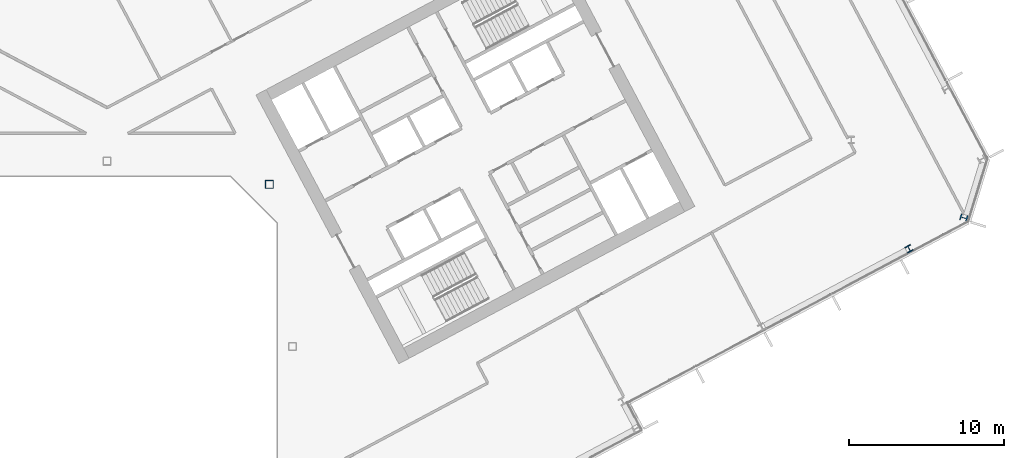
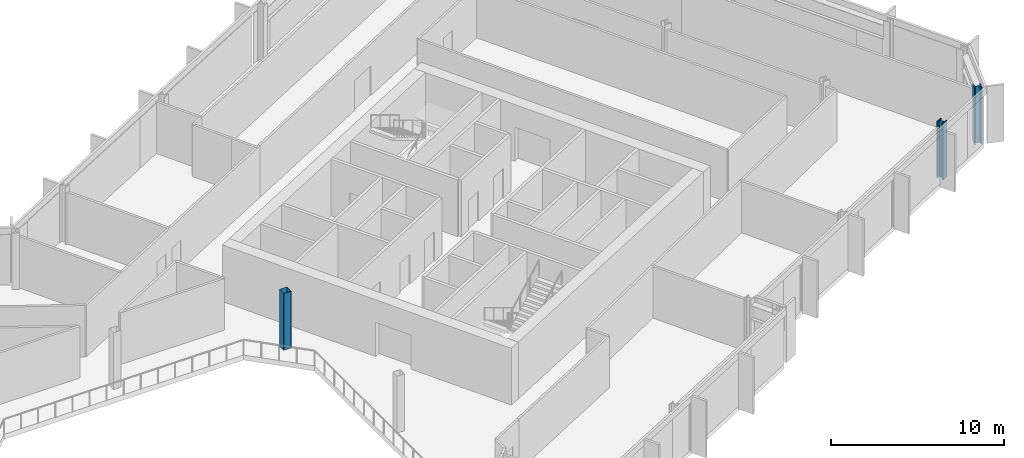
# One storey, part 6 of 28: 3 columns.
"""IFC4 building model written with IfcOpenShell, lengths in metres."""

from ifc_helpers import new_model, si_unit, direction, frame, origin, origin_2d, place, context, subcontext, project, spatial, hollow_rectangle, i_section, extrude, material, material_profile, profile_set, type_object, element, save


model = new_model("IFC4")

# Units and contexts
model_context = context("Model", 3, precision=1e-05, world=origin(), true_north=direction((0.0, 1.0)))
body_context = subcontext(model_context, "Body", "Model", "MODEL_VIEW")
ifc_project = project(units=[si_unit("LENGTHUNIT", "METRE"), si_unit("AREAUNIT", "SQUARE_METRE"), si_unit("VOLUMEUNIT", "CUBIC_METRE"), si_unit("PLANEANGLEUNIT", "RADIAN"), si_unit("MASSUNIT", "GRAM", prefix="KILO")], contexts=[model_context])

# Site, building, storey
site_placement = place(None, origin())
site = spatial("IfcSite", under=ifc_project, at=site_placement, CompositionType="ELEMENT")
building_placement = place(site_placement, origin())
building = spatial("IfcBuilding", under=site, at=building_placement, Name="Cormorant Relay Tower", CompositionType="ELEMENT")
storey_placement = place(building_placement, frame((0.0, 0.0, 122.199951171875)))
storey = spatial("IfcBuildingStorey", under=building, at=storey_placement, Name="L24", CompositionType="ELEMENT", Elevation=122.199951171875)

# Columns
ifc_material_1 = material(Name="Steel ASTM A500 Grade C (Fy 345 MPa)", Category="steel")
ifc_material_profile_1 = material_profile(ifc_material_1, hollow_rectangle(XDim=0.508056640625, YDim=0.508056640625, WallThickness=0.01171875, InnerFilletRadius=0.005859375, OuterFilletRadius=0.017822265625, at=origin_2d()), Name="HSS508x508x12")
ifc_profile_set_1 = profile_set([ifc_material_profile_1], Name="Steel ASTM A500 Grade C (Fy 345 MPa)")
column_type_1 = type_object("IfcColumnType", Name="Column HSS508x508x12", PredefinedType="COLUMN", material=ifc_profile_set_1)
column_1_placement = place(storey_placement, frame((10.5, 10.5, 0.0), z_axis=(0.0, 0.0, 1.0), x_axis=(1.0, 0.0, 0.0)))
element("IfcColumn", 1, at=column_1_placement, inside=storey, type_object=column_type_1, Name="Column L24-024", PredefinedType="COLUMN", context=body_context, shape_type="SweptSolid", body=[
    extrude(hollow_rectangle(XDim=0.508056640625, YDim=0.508056640625, WallThickness=0.01171875, InnerFilletRadius=0.005859375, OuterFilletRadius=0.017822265625, at=origin_2d()), origin(), (0.0, 0.0, 1.0), 4.0),
])
ifc_material_2 = material(Name="Steel ASTM A992 (Fy 345 MPa)", Category="steel")
ifc_material_profile_2 = material_profile(ifc_material_2, i_section(OverallWidth=0.41162109375, OverallDepth=0.434326171875, WebThickness=0.035888671875, FlangeThickness=0.057373046875, FilletRadius=0.01513671875, at=origin_2d()), Name="W360x463")
ifc_profile_set_2 = profile_set([ifc_material_profile_2], Name="Steel ASTM A992 (Fy 345 MPa)")
column_type_2 = type_object("IfcColumnType", Name="Column W360x463", PredefinedType="COLUMN", material=ifc_profile_set_2)
column_2_placement = place(storey_placement, frame((51.905029296875, 6.327880859375, 0.0), z_axis=(0.0, 0.0, 1.0), x_axis=(0.882947592859, 0.469471562786, 0.0)))
element("IfcColumn", 2, at=column_2_placement, inside=storey, type_object=column_type_2, Name="Column L24-020", PredefinedType="COLUMN", context=body_context, shape_type="SweptSolid", body=[
    extrude(i_section(OverallWidth=0.41162109375, OverallDepth=0.434326171875, WebThickness=0.035888671875, FlangeThickness=0.057373046875, FilletRadius=0.01513671875, at=origin_2d()), origin(), (0.0, 0.0, 1.0), 4.0),
])
ifc_material_3 = material(Name="Steel ASTM A992 (Fy 345 MPa)", Category="steel")
ifc_material_profile_3 = material_profile(ifc_material_3, i_section(OverallWidth=0.42431640625, OverallDepth=0.47509765625, WebThickness=0.0478515625, FlangeThickness=0.0771484375, FilletRadius=0.014892578125, at=origin_2d()), Name="W360x634")
ifc_profile_set_3 = profile_set([ifc_material_profile_3], Name="Steel ASTM A992 (Fy 345 MPa)")
column_type_3 = type_object("IfcColumnType", Name="Column W360x634", PredefinedType="COLUMN", material=ifc_profile_set_3)
column_3_placement = place(storey_placement, frame((55.446044921875, 8.3291015625, 0.0), z_axis=(0.0, 0.0, 1.0), x_axis=(0.292371704723, 0.956304755963, 0.0)))
element("IfcColumn", 3, at=column_3_placement, inside=storey, type_object=column_type_3, Name="Column L24-021", PredefinedType="COLUMN", context=body_context, shape_type="SweptSolid", body=[
    extrude(i_section(OverallWidth=0.42431640625, OverallDepth=0.47509765625, WebThickness=0.0478515625, FlangeThickness=0.0771484375, FilletRadius=0.014892578125, at=origin_2d()), origin(), (0.0, 0.0, 1.0), 4.0),
])

save(model, "model.ifc")
